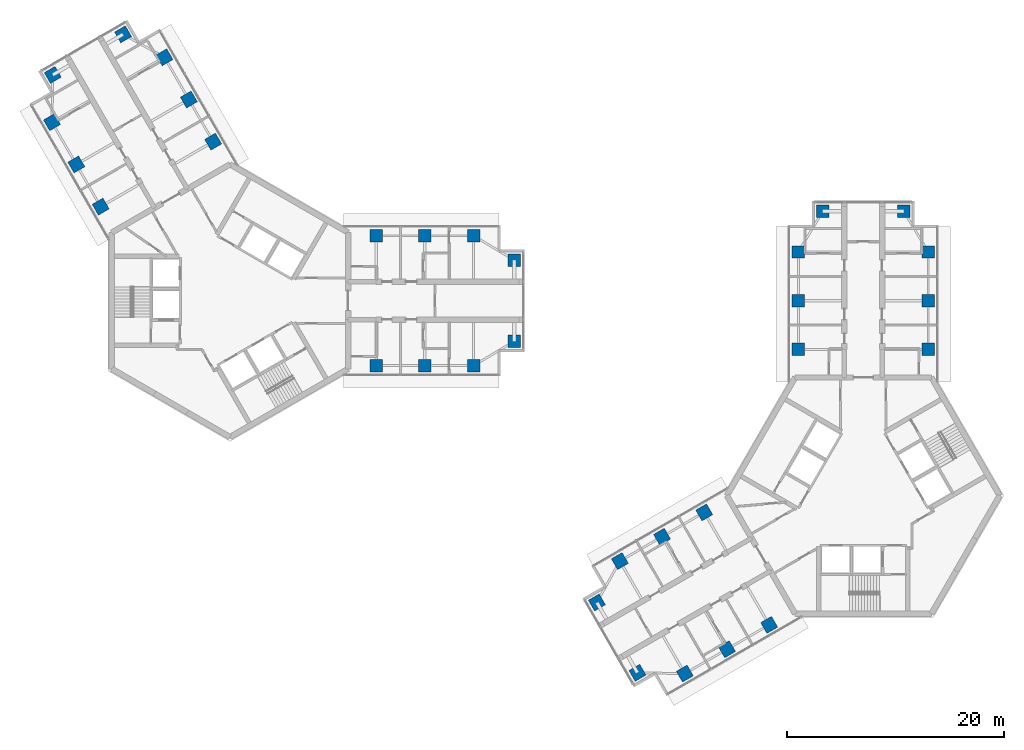
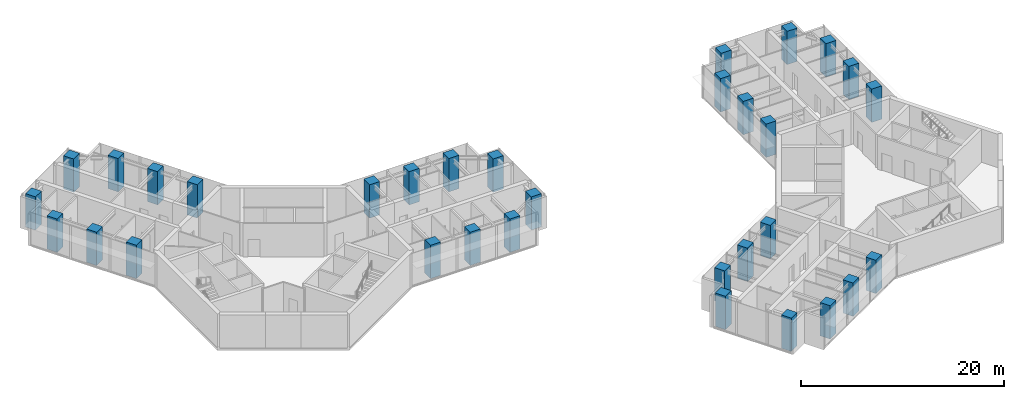
# One storey, part 1 of 17: 32 columns.
"""IFC4 building model written with IfcOpenShell, lengths in metres."""

import ifcopenshell
import ifcopenshell.guid

model = None  # the IFC model being written
_history = None  # IfcOwnerHistory: only IFC2X3 demands one
_inside = {}  # id of a spatial element -> (the spatial element, [elements in it])
_under = {}  # id of a project, library or spatial element -> (it, [spatial elements below it])
_declared = {}  # id of a project -> (the project, [libraries it declares])
_typed = {}  # id of a type object -> (the type object, [elements of that type])
_made_of = {}  # id of a material, layer set ... -> (it, [elements and type objects made of it])


def new_model(schema):
    """Start an empty IFC model of exactly this schema.

    Asked for "IFC4X3", IfcOpenShell would pick the latest addendum, in which some entities
    have other attributes; the version numbers below select the first issue.
    IFC2X3 requires an IfcOwnerHistory on every rooted entity: one is made here for all.
    """
    global model, _history
    if schema == "IFC4X3":
        model = ifcopenshell.file(schema_version=(4, 3, 0, 0))
    else:
        model = ifcopenshell.file(schema=schema)
    _inside.clear()
    _under.clear()
    _declared.clear()
    _typed.clear()
    _made_of.clear()
    _history = None
    if model.schema == "IFC2X3":
        org = make("IfcOrganization", Name="unknown")
        user = make(
            "IfcPersonAndOrganization",
            ThePerson=make("IfcPerson", FamilyName="unknown"),
            TheOrganization=org,
        )
        app = make(
            "IfcApplication",
            ApplicationDeveloper=org,
            Version="unknown",
            ApplicationFullName="unknown",
            ApplicationIdentifier="unknown",
        )
        _history = make(
            "IfcOwnerHistory",
            OwningUser=user,
            OwningApplication=app,
            ChangeAction="ADDED",
            CreationDate=0,
        )
    return model


def make(cls, **values):
    """One entity of the class cls with the attributes given. An attribute that is None is left unset."""
    return model.create_entity(
        cls, **{name: value for name, value in values.items() if value is not None}
    )


def rooted(cls, **values):
    """An entity with a GlobalId (a new one), such as an element, a storey or a relation."""
    return make(cls, GlobalId=ifcopenshell.guid.new(), OwnerHistory=_history, **values)


def si_unit(unit_type, name, prefix=None):
    """IfcSIUnit, for example si_unit("LENGTHUNIT", "METRE", prefix="MILLI")."""
    return make("IfcSIUnit", UnitType=unit_type, Prefix=prefix, Name=name)


def assignment(units):
    """IfcUnitAssignment: the units of a project."""
    return None if units is None else make("IfcUnitAssignment", Units=units)


def point(xyz):
    """IfcCartesianPoint."""
    return None if xyz is None else make("IfcCartesianPoint", Coordinates=xyz)


def direction(xyz):
    """IfcDirection."""
    return None if xyz is None else make("IfcDirection", DirectionRatios=xyz)


def frame(location, z_axis=None, x_axis=None):
    """IfcAxis2Placement3D, a coordinate frame: its origin and axes. An axis left out is left unset."""
    return make(
        "IfcAxis2Placement3D",
        Location=point(location),
        Axis=direction(z_axis),
        RefDirection=direction(x_axis),
    )


def frame_2d(location, x_axis=None):
    """IfcAxis2Placement2D, a coordinate frame in the plane: its origin and x axis."""
    return make(
        "IfcAxis2Placement2D", Location=point(location), RefDirection=direction(x_axis)
    )


def origin():
    """The frame at (0, 0, 0) with its axes left unset."""
    return frame((0.0, 0.0, 0.0))


def origin_2d():
    """The frame at (0, 0) in the plane with its x axis left unset."""
    return frame_2d((0.0, 0.0))


def place(relative_to, where):
    """IfcLocalPlacement: puts the frame where relative to a parent placement (None: the world)."""
    return make(
        "IfcLocalPlacement", PlacementRelTo=relative_to, RelativePlacement=where
    )


def context(
    kind, dimensions, precision=None, world=None, true_north=None, identifier=None
):
    """IfcGeometricRepresentationContext, for example the 3D "Model" context."""
    return make(
        "IfcGeometricRepresentationContext",
        ContextIdentifier=identifier,
        ContextType=kind,
        CoordinateSpaceDimension=dimensions,
        Precision=precision,
        WorldCoordinateSystem=world,
        TrueNorth=true_north,
    )


def subcontext(parent, identifier, kind, view, scale=None):
    """IfcGeometricRepresentationSubContext, for example "Body" below "Model"."""
    return make(
        "IfcGeometricRepresentationSubContext",
        ContextIdentifier=identifier,
        ContextType=kind,
        ParentContext=parent,
        TargetScale=scale,
        TargetView=view,
    )


def project(units=None, contexts=None):
    """IfcProject with its units and contexts."""
    return rooted(
        "IfcProject",
        Name="project",
        RepresentationContexts=contexts,
        UnitsInContext=assignment(units),
    )


def spatial(cls, under=None, at=None, **own):
    """A site, building, storey or space (cls), placed at a placement, below another one or the project."""
    s = rooted(cls, ObjectPlacement=at, **own)
    if under is not None:
        _under.setdefault(under.id(), (under, []))[1].append(s)
    return s


def profile(cls, at=None, kind="AREA", **sizes):
    """A parametric profile (cls). Its sizes go by their IFC names, for example OverallWidth=200.0."""
    return make(cls, ProfileType=kind, Position=at, **sizes)


def rectangle(**sizes):
    """IfcRectangleProfileDef."""
    return profile("IfcRectangleProfileDef", **sizes)


def extrude(swept, where, along, depth):
    """IfcExtrudedAreaSolid: the profile swept, set in the frame where, extruded along a direction by depth."""
    return make(
        "IfcExtrudedAreaSolid",
        SweptArea=swept,
        Position=where,
        ExtrudedDirection=direction(along),
        Depth=depth,
    )


def shape(context_of_items, identifier, shape_type, items):
    """IfcShapeRepresentation: the items that make up one representation, for example the "Body"."""
    return make(
        "IfcShapeRepresentation",
        ContextOfItems=context_of_items,
        RepresentationIdentifier=identifier,
        RepresentationType=shape_type,
        Items=items,
    )


def material(Name=None, Category=None):
    """IfcMaterial."""
    return make("IfcMaterial", Name=Name, Category=Category)


def material_profile(
    of_material, cross_section, Name=None, Category=None, Priority=None
):
    """IfcMaterialProfile: a cross section and its material."""
    return make(
        "IfcMaterialProfile",
        Name=Name,
        Material=of_material,
        Profile=cross_section,
        Priority=Priority,
        Category=Category,
    )


def profile_set(profiles, Name=None, composite=None):
    """IfcMaterialProfileSet."""
    return make(
        "IfcMaterialProfileSet",
        Name=Name,
        MaterialProfiles=profiles,
        CompositeProfile=composite,
    )


def made_of(thing, what):
    """Note that an element or type object is made of a material, layer set ...; save() writes the relation."""
    if what is not None:
        _made_of.setdefault(what.id(), (what, []))[1].append(thing)
    return thing


def type_object(cls, material=None, **own):
    """A type object (cls), such as IfcWallType, which elements share."""
    return made_of(rooted(cls, **own), material)


def element(
    cls,
    number,
    at=None,
    inside=None,
    cuts=None,
    type_object=None,
    material=None,
    context=None,
    identifier="Body",
    shape_type=None,
    held_by="IfcProductDefinitionShape",
    body=None,
    shapes=None,
    **own,
):
    """One element of the class cls, such as IfcWall. Its Tag is "e" and its number.

    at: its placement. inside: the storey or other place that contains it. cuts: it is an
    opening in that element (IfcRelVoidsElement). A single representation is given by context,
    identifier, shape_type and body (its items); several are given by shapes. held_by: the class
    of the entity that holds the representations. save() writes the other relations.
    """
    e = rooted(cls, Tag="e%d" % number, ObjectPlacement=at, **own)
    if body is not None:
        shapes = [shape(context, identifier, shape_type, body)]
    if shapes is not None:
        e.Representation = make(held_by, Representations=shapes)
    if inside is not None:
        _inside.setdefault(inside.id(), (inside, []))[1].append(e)
    if cuts is not None:
        rooted(
            "IfcRelVoidsElement", RelatingBuildingElement=cuts, RelatedOpeningElement=e
        )
    if type_object is not None:
        _typed.setdefault(type_object.id(), (type_object, []))[1].append(e)
    return made_of(e, material)


def aggregate(whole, parts):
    """IfcRelAggregates: a whole, such as a stair, and the parts it consists of."""
    return rooted("IfcRelAggregates", RelatingObject=whole, RelatedObjects=parts)


def save(model, path):
    """Write the relations noted so far, then the file.

    IfcRelAggregates (storeys below a building ...), IfcRelContainedInSpatialStructure (elements
    in a storey), IfcRelDefinesByType, IfcRelAssociatesMaterial and IfcRelDeclares: one each for
    every whole, place, type object, material and project.
    """
    for whole, parts in _under.values():
        aggregate(whole, parts)
    for where, things in _inside.values():
        rooted(
            "IfcRelContainedInSpatialStructure",
            RelatedElements=things,
            RelatingStructure=where,
        )
    for kind, things in _typed.values():
        rooted("IfcRelDefinesByType", RelatedObjects=things, RelatingType=kind)
    for what, things in _made_of.values():
        rooted("IfcRelAssociatesMaterial", RelatedObjects=things, RelatingMaterial=what)
    for by, libraries in _declared.values():
        rooted("IfcRelDeclares", RelatingContext=by, RelatedDefinitions=libraries)
    model.write(path)


model = new_model("IFC4")

# Units and contexts
model_context = context("Model", 3, precision=1e-05, world=origin(), true_north=direction((0.0, 1.0)))
body_context = subcontext(model_context, "Body", "Model", "MODEL_VIEW")
ifc_project = project(units=[si_unit("LENGTHUNIT", "METRE"), si_unit("AREAUNIT", "SQUARE_METRE"), si_unit("VOLUMEUNIT", "CUBIC_METRE"), si_unit("PLANEANGLEUNIT", "RADIAN"), si_unit("MASSUNIT", "GRAM", prefix="KILO")], contexts=[model_context])

# Site, building, storey
site_placement = place(None, origin())
site = spatial("IfcSite", under=ifc_project, at=site_placement, CompositionType="ELEMENT")
building_placement = place(site_placement, origin())
building = spatial("IfcBuilding", under=site, at=building_placement, Name="Upepo Twin Towers", CompositionType="ELEMENT")
storey_placement = place(building_placement, frame((0.0, 0.0, 214.5)))
storey = spatial("IfcBuildingStorey", under=building, at=storey_placement, Name="L52", CompositionType="ELEMENT", Elevation=214.5)

# Columns
ifc_material = material(Name="Concrete C60/75", Category="concrete")
ifc_material_profile = material_profile(ifc_material, rectangle(XDim=1.14990234375, YDim=1.14990234375, at=origin_2d()), Name="RC 1150x1150")
ifc_profile_set = profile_set([ifc_material_profile], Name="Concrete C60/75")
column_type = type_object("IfcColumnType", Name="Tower column RC 1150x1150", PredefinedType="COLUMN", material=ifc_profile_set)
for number, where, z_axis, x_axis, name in (
    (1, (13.5, 6.0, 0.0), (0.0, 0.0, 1.0), (1.0, 0.0, 0.0), "T1 column AL135"),
    (2, (13.5, -6.0, 0.0), (0.0, 0.0, 1.0), (1.0, 0.0, 0.0), "T1 column AR135"),
    (3, (18.0, 6.0, 0.0), (0.0, 0.0, 1.0), (1.0, 0.0, 0.0), "T1 column AL180"),
    (4, (18.0, -6.0, 0.0), (0.0, 0.0, 1.0), (1.0, 0.0, 0.0), "T1 column AR180"),
    (5, (22.5, 6.0, 0.0), (0.0, 0.0, 1.0), (1.0, 0.0, 0.0), "T1 column AL225"),
    (6, (22.5, -6.0, 0.0), (0.0, 0.0, 1.0), (1.0, 0.0, 0.0), "T1 column AR225"),
    (7, (26.25, 3.75, 0.0), (0.0, 0.0, 1.0), (1.0, 0.0, 0.0), "T1 column ALN"),
    (8, (26.25, -3.75, 0.0), (0.0, 0.0, 1.0), (1.0, 0.0, 0.0), "T1 column ARN"),
    (9, (-11.946044921875, 8.69140625, 0.0), (0.0, 0.0, 1.0), (0.866025403784, 0.5, 0.0), "T1 column BL135"),
    (10, (-1.553955078125, 14.69140625, 0.0), (0.0, 0.0, 1.0), (0.866025403784, 0.5, 0.0), "T1 column BR135"),
    (11, (-14.196044921875, 12.58837890625, 0.0), (0.0, 0.0, 1.0), (0.866025403784, 0.5, 0.0), "T1 column BL180"),
    (12, (-3.803955078125, 18.58837890625, 0.0), (0.0, 0.0, 1.0), (0.866025403784, 0.5, 0.0), "T1 column BR180"),
    (13, (-16.446044921875, 16.485595703125, 0.0), (0.0, 0.0, 1.0), (0.866025403784, 0.5, 0.0), "T1 column BL225"),
    (14, (-6.053955078125, 22.485595703125, 0.0), (0.0, 0.0, 1.0), (0.866025403784, 0.5, 0.0), "T1 column BR225"),
    (15, (-16.37255859375, 20.858154296875, 0.0), (0.0, 0.0, 1.0), (0.866025403784, 0.5, 0.0), "T1 column BLN"),
    (16, (-9.87744140625, 24.608154296875, 0.0), (0.0, 0.0, 1.0), (0.866025403784, 0.5, 0.0), "T1 column BRN"),
    (17, (52.5, -4.5, 0.0), (0.0, 0.0, 1.0), (1.0, 0.0, 0.0), "T2 column AL135"),
    (18, (64.5, -4.5, 0.0), (0.0, 0.0, 1.0), (1.0, 0.0, 0.0), "T2 column AR135"),
    (19, (52.5, 0.0, 0.0), (0.0, 0.0, 1.0), (1.0, 0.0, 0.0), "T2 column AL180"),
    (20, (64.5, 0.0, 0.0), (0.0, 0.0, 1.0), (1.0, 0.0, 0.0), "T2 column AR180"),
    (21, (52.5, 4.5, 0.0), (0.0, 0.0, 1.0), (1.0, 0.0, 0.0), "T2 column AL225"),
    (22, (64.5, 4.5, 0.0), (0.0, 0.0, 1.0), (1.0, 0.0, 0.0), "T2 column AR225"),
    (23, (54.75, 8.25, 0.0), (0.0, 0.0, 1.0), (1.0, 0.0, 0.0), "T2 column ALN"),
    (24, (62.25, 8.25, 0.0), (0.0, 0.0, 1.0), (1.0, 0.0, 0.0), "T2 column ARN"),
    (25, (49.80859375, -29.946044921875, 0.0), (0.0, 0.0, 1.0), (0.866025403784, 0.5, 0.0), "T2 column BL135"),
    (26, (43.80859375, -19.553955078125, 0.0), (0.0, 0.0, 1.0), (0.866025403784, 0.5, 0.0), "T2 column BR135"),
    (27, (45.91162109375, -32.196044921875, 0.0), (0.0, 0.0, 1.0), (0.866025403784, 0.5, 0.0), "T2 column BL180"),
    (28, (39.91162109375, -21.803955078125, 0.0), (0.0, 0.0, 1.0), (0.866025403784, 0.5, 0.0), "T2 column BR180"),
    (29, (42.014404296875, -34.446044921875, 0.0), (0.0, 0.0, 1.0), (0.866025403784, 0.5, 0.0), "T2 column BL225"),
    (30, (36.014404296875, -24.053955078125, 0.0), (0.0, 0.0, 1.0), (0.866025403784, 0.5, 0.0), "T2 column BR225"),
    (31, (37.641845703125, -34.37255859375, 0.0), (0.0, 0.0, 1.0), (0.866025403784, 0.5, 0.0), "T2 column BLN"),
    (32, (33.891845703125, -27.87744140625, 0.0), (0.0, 0.0, 1.0), (0.866025403784, 0.5, 0.0), "T2 column BRN"),
):
    element("IfcColumn", number, at=place(storey_placement, frame(where, z_axis=z_axis, x_axis=x_axis)), inside=storey, type_object=column_type, Name=name, PredefinedType="COLUMN", context=body_context, shape_type="SweptSolid", body=[
        extrude(rectangle(XDim=1.14990234375, YDim=1.14990234375, at=origin_2d()), origin(), (0.0, 0.0, 1.0), 4.0),
    ])

save(model, "model.ifc")
